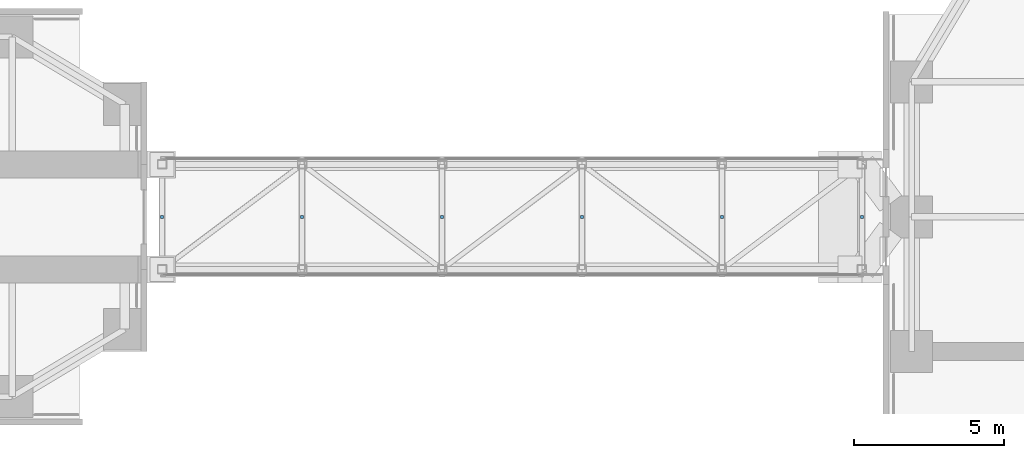
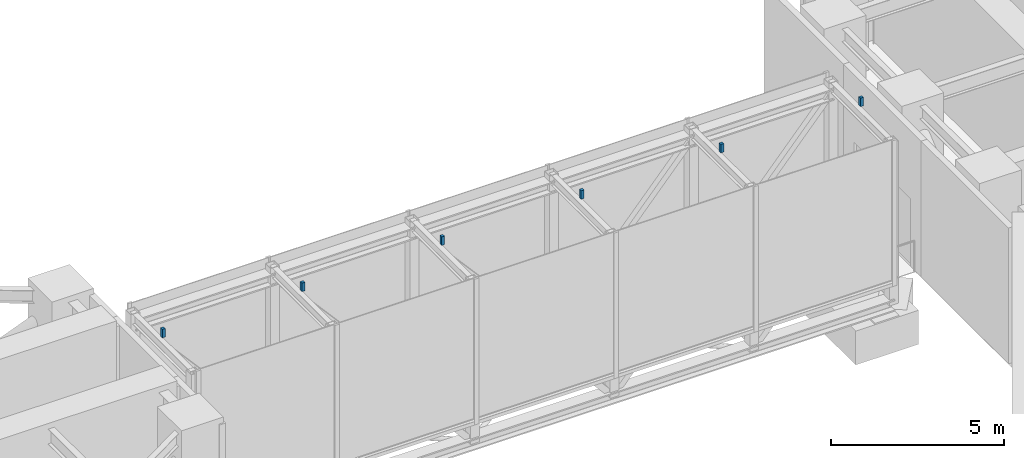
# One storey, part 13 of 17: 6 discrete accessories.
"""IFC4 building model written with IfcOpenShell, lengths in metres."""

from ifc_helpers import new_model, si_unit, direction, frame, origin, origin_2d, place, context, subcontext, project, spatial, rectangle, extrude, material, material_profile, profile_set, type_object, element, save


model = new_model("IFC4")

# Units and contexts
model_context = context("Model", 3, precision=1e-05, world=origin(), true_north=direction((0.0, 1.0)))
body_context = subcontext(model_context, "Body", "Model", "MODEL_VIEW")
ifc_project = project(units=[si_unit("LENGTHUNIT", "METRE"), si_unit("AREAUNIT", "SQUARE_METRE"), si_unit("VOLUMEUNIT", "CUBIC_METRE"), si_unit("PLANEANGLEUNIT", "RADIAN"), si_unit("MASSUNIT", "GRAM", prefix="KILO")], contexts=[model_context])

# Site, building, storey
site_placement = place(None, origin())
site = spatial("IfcSite", under=ifc_project, at=site_placement, CompositionType="ELEMENT")
building_placement = place(site_placement, origin())
building = spatial("IfcBuilding", under=site, at=building_placement, Name="Upepo Twin Towers", CompositionType="ELEMENT")
storey_placement = place(building_placement, frame((0.0, 0.0, 92.5)))
storey = spatial("IfcBuildingStorey", under=building, at=storey_placement, Name="L22", CompositionType="ELEMENT", Elevation=92.5)

# Discrete accessories
ifc_material = material(Name="Stainless steel 1.4401", Category="steel")
ifc_material_profile = material_profile(ifc_material, rectangle(XDim=0.10009765625, YDim=0.10009765625, at=origin_2d()), Name="ANCHOR POST 100x100")
ifc_profile_set = profile_set([ifc_material_profile], Name="Stainless steel 1.4401")
discrete_accessory_type = type_object("IfcDiscreteAccessoryType", Name="Fall-arrest anchor, stainless steel, to EN 795 type A", PredefinedType="USERDEFINED", material=ifc_profile_set)
for number, where, z_axis, x_axis, name in (
    (1, (27.5, 0.0, 4.949951171875), (0.0, 0.0, 1.0), (1.0, 0.0, 0.0), "BR1 roof fall-arrest anchor 1"),
    (2, (32.16796875, 0.0, 4.949951171875), (0.0, 0.0, 1.0), (1.0, 0.0, 0.0), "BR1 roof fall-arrest anchor 2"),
    (3, (36.8359375, 0.0, 4.949951171875), (0.0, 0.0, 1.0), (1.0, 0.0, 0.0), "BR1 roof fall-arrest anchor 3"),
    (4, (41.50390625, 0.0, 4.949951171875), (0.0, 0.0, 1.0), (1.0, 0.0, 0.0), "BR1 roof fall-arrest anchor 4"),
    (5, (46.172119140625, 0.0, 4.949951171875), (0.0, 0.0, 1.0), (1.0, 0.0, 0.0), "BR1 roof fall-arrest anchor 5"),
    (6, (50.840087890625, 0.0, 4.949951171875), (0.0, 0.0, 1.0), (1.0, 0.0, 0.0), "BR1 roof fall-arrest anchor 6"),
):
    element("IfcDiscreteAccessory", number, at=place(storey_placement, frame(where, z_axis=z_axis, x_axis=x_axis)), inside=storey, type_object=discrete_accessory_type, Name=name, ObjectType="ANCHOR", PredefinedType="USERDEFINED", context=body_context, shape_type="SweptSolid", body=[
        extrude(rectangle(XDim=0.10009765625, YDim=0.10009765625, at=origin_2d()), origin(), (0.0, 0.0, 1.0), 0.300048828125),
    ])

save(model, "model.ifc")
